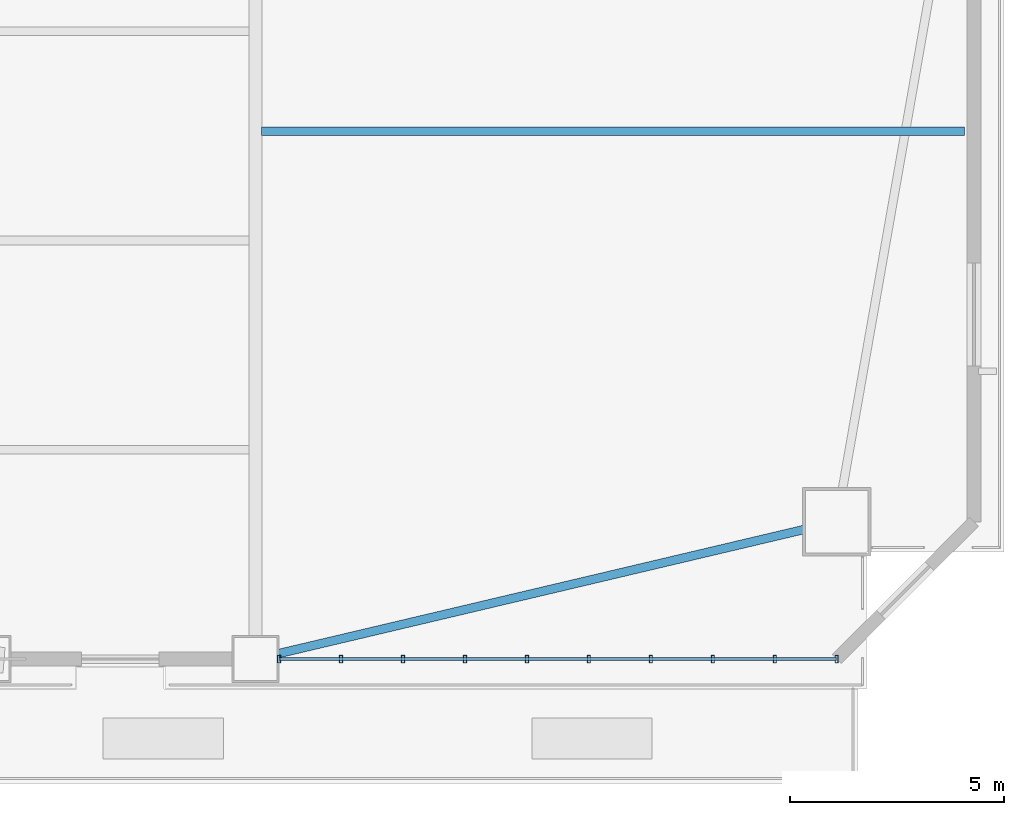
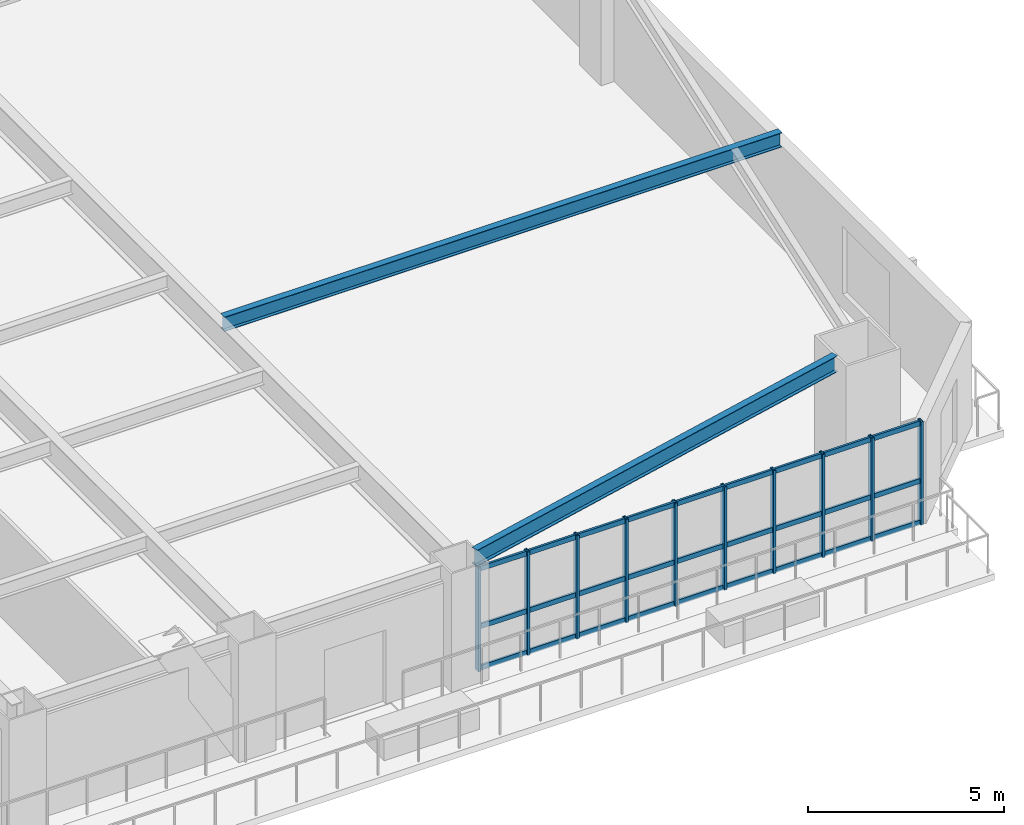
# One storey, part 6 of 17: 13 members, 2 beams, 1 element without a shape of its own.
"""IFC4 building model written with IfcOpenShell, lengths in metres."""

from ifc_helpers import new_model, si_unit, direction, frame, origin, origin_2d, place, context, subcontext, project, spatial, hollow_rectangle, i_section, extrude, source, transform, mapped, material, layer, layer_set, material_profile, profile_set, type_object, element, aggregate, save


model = new_model("IFC4")

# Units and contexts
model_context = context("Model", 3, precision=1e-05, world=origin(), true_north=direction((0.0, 1.0)))
body_context = subcontext(model_context, "Body", "Model", "MODEL_VIEW")
ifc_project = project(units=[si_unit("LENGTHUNIT", "METRE"), si_unit("AREAUNIT", "SQUARE_METRE"), si_unit("VOLUMEUNIT", "CUBIC_METRE"), si_unit("PLANEANGLEUNIT", "RADIAN"), si_unit("MASSUNIT", "GRAM", prefix="KILO")], contexts=[model_context])

# Site, building, storey
site_placement = place(None, origin())
site = spatial("IfcSite", under=ifc_project, at=site_placement, CompositionType="ELEMENT")
building_placement = place(site_placement, origin())
building = spatial("IfcBuilding", under=site, at=building_placement, Name="Giltprow Tower", CompositionType="ELEMENT")
storey_placement = place(building_placement, frame((0.0, 0.0, 25.39990234375)))
storey = spatial("IfcBuildingStorey", under=building, at=storey_placement, Name="L06", CompositionType="ELEMENT", Elevation=25.39990234375)

# Beams
ifc_material_1 = material(Name="Structural steel Q355B", Category="steel")
ifc_material_profile_1 = material_profile(ifc_material_1, i_section(OverallWidth=0.199951171875, OverallDepth=0.5, WebThickness=0.010009765625, FlangeThickness=0.01611328125, at=origin_2d()), Name="HN 500x200x10x16")
ifc_profile_set_1 = profile_set([ifc_material_profile_1], Name="Structural steel Q355B")
beam_type_1 = type_object("IfcBeamType", Name="BM-SPAN-HN500", PredefinedType="SPANDREL", material=ifc_profile_set_1)
shared_shape_1 = source(origin(), body_context, "Body", "SweptSolid", [
    extrude(i_section(OverallWidth=0.199951171875, OverallDepth=0.5, WebThickness=0.010009765625, FlangeThickness=0.01611328125, at=origin_2d()), origin(), (0.0, 0.0, 1.0), 12.602294921875),
])
beam_1_placement = place(storey_placement, frame((51.071044921875, 3.423095703125, 3.43017578125), z_axis=(0.973220162017, 0.229875001344, 0.0), x_axis=(-0.229875001344, 0.973220162017, 0.0)))
element("IfcBeam", 1, at=beam_1_placement, inside=storey, type_object=beam_type_1, Name="L06 Perimeter Spandrel Beam S4-MC_SE", PredefinedType="SPANDREL", context=body_context, shape_type="MappedRepresentation", body=[
    mapped(shared_shape_1, transform((0.0, 0.0, 0.0), x_axis=(1.0, 0.0, 0.0), y_axis=(0.0, 1.0, 0.0), z_axis=(0.0, 0.0, 1.0), scale=1.0)),
])
ifc_material_profile_2 = material_profile(ifc_material_1, i_section(OverallWidth=0.199951171875, OverallDepth=0.449951171875, WebThickness=0.009033203125, FlangeThickness=0.013916015625, at=origin_2d()), Name="HN 450x200x9x14")
ifc_profile_set_2 = profile_set([ifc_material_profile_2], Name="Structural steel Q355B")
beam_type_2 = type_object("IfcBeamType", Name="BM-JOIST-HN450", PredefinedType="JOIST", material=ifc_profile_set_2)
shared_shape_2 = source(origin(), body_context, "Body", "SweptSolid", [
    extrude(i_section(OverallWidth=0.199951171875, OverallDepth=0.449951171875, WebThickness=0.009033203125, FlangeThickness=0.013916015625, at=origin_2d()), origin(), (0.0, 0.0, 1.0), 16.385009765625),
])
beam_2_placement = place(storey_placement, frame((50.695068359375, 15.60009765625, 3.455078125), z_axis=(1.0, 0.0, 0.0), x_axis=(0.0, 1.0, 0.0)))
element("IfcBeam", 2, at=beam_2_placement, inside=storey, type_object=beam_type_2, Name="L06 East Wing Floor Joist 1", PredefinedType="JOIST", context=body_context, shape_type="MappedRepresentation", body=[
    mapped(shared_shape_2, transform((0.0, 0.0, 0.0), x_axis=(1.0, 0.0, 0.0), y_axis=(0.0, 1.0, 0.0), z_axis=(0.0, 0.0, 1.0), scale=1.0)),
])

# Curtain wall, members
ifc_material_2 = material(Name="Anodized bronze", Category="metal")
ifc_layer = layer(ifc_material_2, 0.179931640625, Name="Anodized bronze")
ifc_layer_set = layer_set([ifc_layer], Name="Anodized bronze")
curtain_wall_type = type_object("IfcCurtainWallType", Name="CW-SKYGARDEN", PredefinedType="NOTDEFINED", material=ifc_layer_set)
curtain_wall_placement = place(storey_placement, origin())
curtain_wall = element("IfcCurtainWall", 3, at=curtain_wall_placement, inside=storey, type_object=curtain_wall_type, Name="L06 South Recessed Curtain Wall 6", PredefinedType="NOTDEFINED")
ifc_material_profile_3 = material_profile(ifc_material_2, hollow_rectangle(XDim=0.074951171875, YDim=0.179931640625, WallThickness=0.008056640625, at=origin_2d()), Name="RHS 180x75x8")
ifc_profile_set_3 = profile_set([ifc_material_profile_3], Name="Anodized bronze")
member_type_1 = type_object("IfcMemberType", Name="CW-MULLION-180x75", PredefinedType="MULLION", material=ifc_profile_set_3)
shared_shape_3 = source(origin(), body_context, "Body", "SweptSolid", [
    extrude(hollow_rectangle(XDim=0.074951171875, YDim=0.179931640625, WallThickness=0.008056640625, at=origin_2d()), origin(), (0.0, 0.0, 1.0), 3.215087890625),
])
member_1_placement = place(storey_placement, frame((51.10009765625, 3.300048828125, -0.02001953125), z_axis=(0.0, 0.0, 1.0), x_axis=(1.0, 0.0, 0.0)))
member_1 = element("IfcMember", 4, at=member_1_placement, type_object=member_type_1, Name="L06 South Recessed Curtain Wall 6 Mullion 1", PredefinedType="MULLION", context=body_context, shape_type="MappedRepresentation", body=[
    mapped(shared_shape_3, transform((0.0, 0.0, 0.0), x_axis=(1.0, 0.0, 0.0), y_axis=(0.0, 1.0, 0.0), z_axis=(0.0, 0.0, 1.0), scale=1.0)),
])
member_2_placement = place(storey_placement, frame((52.5439453125, 3.300048828125, -0.02001953125), z_axis=(0.0, 0.0, 1.0), x_axis=(1.0, 0.0, 0.0)))
member_2 = element("IfcMember", 5, at=member_2_placement, type_object=member_type_1, Name="L06 South Recessed Curtain Wall 6 Mullion 2", PredefinedType="MULLION", context=body_context, shape_type="MappedRepresentation", body=[
    mapped(shared_shape_3, transform((0.0, 0.0, 0.0), x_axis=(1.0, 0.0, 0.0), y_axis=(0.0, 1.0, 0.0), z_axis=(0.0, 0.0, 1.0), scale=1.0)),
])
member_3_placement = place(storey_placement, frame((53.989013671875, 3.300048828125, -0.02001953125), z_axis=(0.0, 0.0, 1.0), x_axis=(1.0, 0.0, 0.0)))
member_3 = element("IfcMember", 6, at=member_3_placement, type_object=member_type_1, Name="L06 South Recessed Curtain Wall 6 Mullion 3", PredefinedType="MULLION", context=body_context, shape_type="MappedRepresentation", body=[
    mapped(shared_shape_3, transform((0.0, 0.0, 0.0), x_axis=(1.0, 0.0, 0.0), y_axis=(0.0, 1.0, 0.0), z_axis=(0.0, 0.0, 1.0), scale=1.0)),
])
member_4_placement = place(storey_placement, frame((55.43310546875, 3.300048828125, -0.02001953125), z_axis=(0.0, 0.0, 1.0), x_axis=(1.0, 0.0, 0.0)))
member_4 = element("IfcMember", 7, at=member_4_placement, type_object=member_type_1, Name="L06 South Recessed Curtain Wall 6 Mullion 4", PredefinedType="MULLION", context=body_context, shape_type="MappedRepresentation", body=[
    mapped(shared_shape_3, transform((0.0, 0.0, 0.0), x_axis=(1.0, 0.0, 0.0), y_axis=(0.0, 1.0, 0.0), z_axis=(0.0, 0.0, 1.0), scale=1.0)),
])
member_5_placement = place(storey_placement, frame((56.8779296875, 3.300048828125, -0.02001953125), z_axis=(0.0, 0.0, 1.0), x_axis=(1.0, 0.0, 0.0)))
member_5 = element("IfcMember", 8, at=member_5_placement, type_object=member_type_1, Name="L06 South Recessed Curtain Wall 6 Mullion 5", PredefinedType="MULLION", context=body_context, shape_type="MappedRepresentation", body=[
    mapped(shared_shape_3, transform((0.0, 0.0, 0.0), x_axis=(1.0, 0.0, 0.0), y_axis=(0.0, 1.0, 0.0), z_axis=(0.0, 0.0, 1.0), scale=1.0)),
])
member_6_placement = place(storey_placement, frame((58.322021484375, 3.300048828125, -0.02001953125), z_axis=(0.0, 0.0, 1.0), x_axis=(1.0, 0.0, 0.0)))
member_6 = element("IfcMember", 9, at=member_6_placement, type_object=member_type_1, Name="L06 South Recessed Curtain Wall 6 Mullion 6", PredefinedType="MULLION", context=body_context, shape_type="MappedRepresentation", body=[
    mapped(shared_shape_3, transform((0.0, 0.0, 0.0), x_axis=(1.0, 0.0, 0.0), y_axis=(0.0, 1.0, 0.0), z_axis=(0.0, 0.0, 1.0), scale=1.0)),
])
member_7_placement = place(storey_placement, frame((59.76708984375, 3.300048828125, -0.02001953125), z_axis=(0.0, 0.0, 1.0), x_axis=(1.0, 0.0, 0.0)))
member_7 = element("IfcMember", 10, at=member_7_placement, type_object=member_type_1, Name="L06 South Recessed Curtain Wall 6 Mullion 7", PredefinedType="MULLION", context=body_context, shape_type="MappedRepresentation", body=[
    mapped(shared_shape_3, transform((0.0, 0.0, 0.0), x_axis=(1.0, 0.0, 0.0), y_axis=(0.0, 1.0, 0.0), z_axis=(0.0, 0.0, 1.0), scale=1.0)),
])
member_8_placement = place(storey_placement, frame((61.2109375, 3.300048828125, -0.02001953125), z_axis=(0.0, 0.0, 1.0), x_axis=(1.0, 0.0, 0.0)))
member_8 = element("IfcMember", 11, at=member_8_placement, type_object=member_type_1, Name="L06 South Recessed Curtain Wall 6 Mullion 8", PredefinedType="MULLION", context=body_context, shape_type="MappedRepresentation", body=[
    mapped(shared_shape_3, transform((0.0, 0.0, 0.0), x_axis=(1.0, 0.0, 0.0), y_axis=(0.0, 1.0, 0.0), z_axis=(0.0, 0.0, 1.0), scale=1.0)),
])
member_9_placement = place(storey_placement, frame((62.656005859375, 3.300048828125, -0.02001953125), z_axis=(0.0, 0.0, 1.0), x_axis=(1.0, 0.0, 0.0)))
member_9 = element("IfcMember", 12, at=member_9_placement, type_object=member_type_1, Name="L06 South Recessed Curtain Wall 6 Mullion 9", PredefinedType="MULLION", context=body_context, shape_type="MappedRepresentation", body=[
    mapped(shared_shape_3, transform((0.0, 0.0, 0.0), x_axis=(1.0, 0.0, 0.0), y_axis=(0.0, 1.0, 0.0), z_axis=(0.0, 0.0, 1.0), scale=1.0)),
])
member_10_placement = place(storey_placement, frame((64.10009765625, 3.300048828125, -0.02001953125), z_axis=(0.0, 0.0, 1.0), x_axis=(1.0, 0.0, 0.0)))
member_10 = element("IfcMember", 13, at=member_10_placement, type_object=member_type_1, Name="L06 South Recessed Curtain Wall 6 Mullion 10", PredefinedType="MULLION", context=body_context, shape_type="MappedRepresentation", body=[
    mapped(shared_shape_3, transform((0.0, 0.0, 0.0), x_axis=(1.0, 0.0, 0.0), y_axis=(0.0, 1.0, 0.0), z_axis=(0.0, 0.0, 1.0), scale=1.0)),
])
ifc_material_profile_4 = material_profile(ifc_material_2, hollow_rectangle(XDim=0.06494140625, YDim=0.14990234375, WallThickness=0.006103515625, at=origin_2d()), Name="RHS 150x65x6")
ifc_profile_set_4 = profile_set([ifc_material_profile_4], Name="Anodized bronze")
member_type_2 = type_object("IfcMemberType", Name="CW-TRANSOM-150x65", PredefinedType="USERDEFINED", material=ifc_profile_set_4)
shared_shape_4 = source(origin(), body_context, "Body", "SweptSolid", [
    extrude(hollow_rectangle(XDim=0.06494140625, YDim=0.14990234375, WallThickness=0.006103515625, at=origin_2d()), origin(), (0.0, 0.0, 1.0), 13.0),
])
member_11_placement = place(storey_placement, frame((51.10009765625, 3.300048828125, 0.0400390625), z_axis=(1.0, 0.0, 0.0), x_axis=(0.0, 1.0, 0.0)))
member_11 = element("IfcMember", 14, at=member_11_placement, type_object=member_type_2, Name="L06 South Recessed Curtain Wall 6 Transom 1", ObjectType="TRANSOM", PredefinedType="USERDEFINED", context=body_context, shape_type="MappedRepresentation", body=[
    mapped(shared_shape_4, transform((0.0, 0.0, 0.0), x_axis=(1.0, 0.0, 0.0), y_axis=(0.0, 1.0, 0.0), z_axis=(0.0, 0.0, 1.0), scale=1.0)),
])
member_12_placement = place(storey_placement, frame((51.10009765625, 3.300048828125, 1.3271484375), z_axis=(1.0, 0.0, 0.0), x_axis=(0.0, 1.0, 0.0)))
member_12 = element("IfcMember", 15, at=member_12_placement, type_object=member_type_2, Name="L06 South Recessed Curtain Wall 6 Transom 2", ObjectType="TRANSOM", PredefinedType="USERDEFINED", context=body_context, shape_type="MappedRepresentation", body=[
    mapped(shared_shape_4, transform((0.0, 0.0, 0.0), x_axis=(1.0, 0.0, 0.0), y_axis=(0.0, 1.0, 0.0), z_axis=(0.0, 0.0, 1.0), scale=1.0)),
])
member_13_placement = place(storey_placement, frame((51.10009765625, 3.300048828125, 3.1201171875), z_axis=(1.0, 0.0, 0.0), x_axis=(0.0, 1.0, 0.0)))
member_13 = element("IfcMember", 16, at=member_13_placement, type_object=member_type_2, Name="L06 South Recessed Curtain Wall 6 Transom 3", ObjectType="TRANSOM", PredefinedType="USERDEFINED", context=body_context, shape_type="MappedRepresentation", body=[
    mapped(shared_shape_4, transform((0.0, 0.0, 0.0), x_axis=(1.0, 0.0, 0.0), y_axis=(0.0, 1.0, 0.0), z_axis=(0.0, 0.0, 1.0), scale=1.0)),
])
aggregate(curtain_wall, [member_1, member_2, member_3, member_4, member_5, member_6, member_7, member_8, member_9, member_10, member_11, member_12, member_13])

save(model, "model.ifc")
